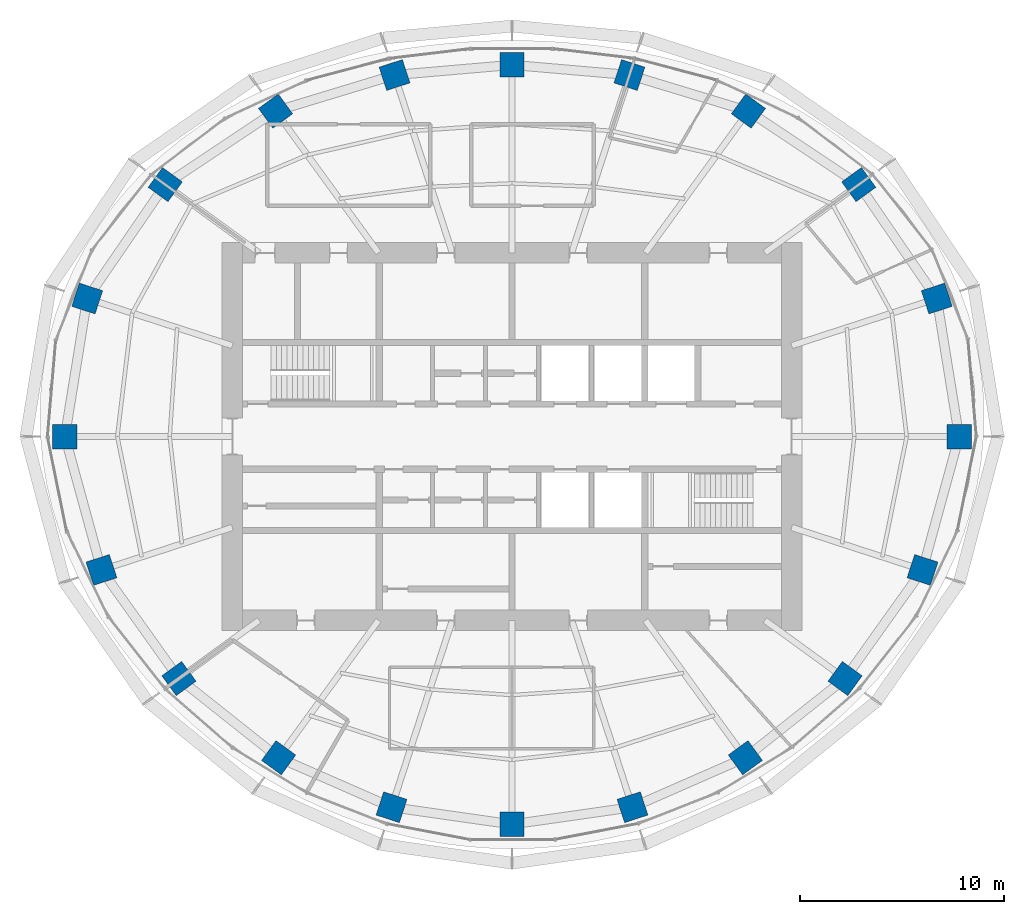
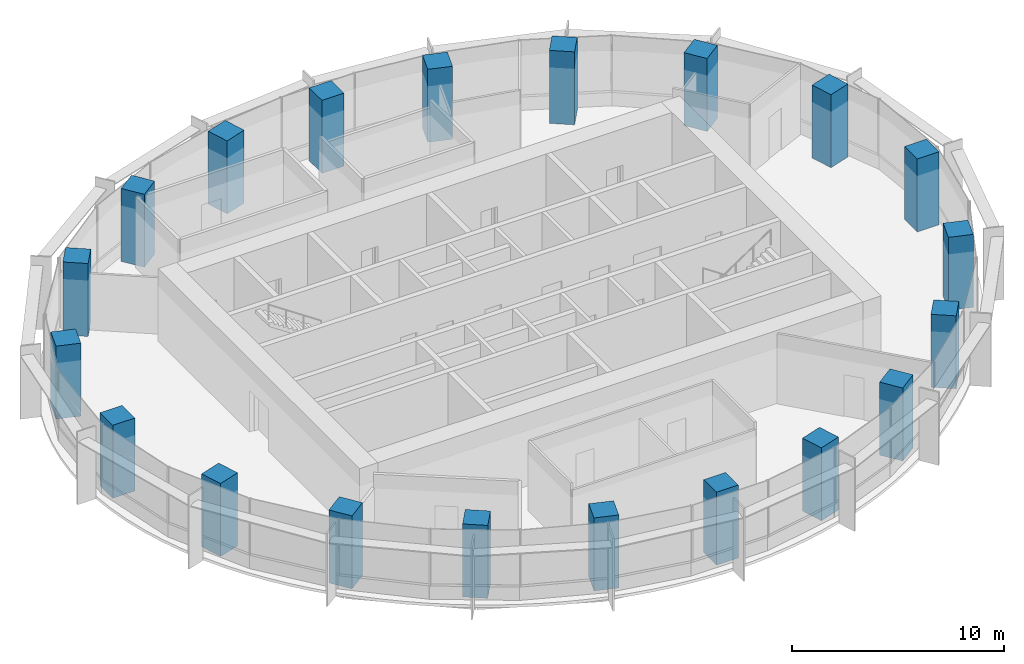
# One storey, part 1 of 13: 20 columns.
"""IFC4 building model written with IfcOpenShell, lengths in metres."""

import ifcopenshell
import ifcopenshell.guid

model = None  # the IFC model being written
_history = None  # IfcOwnerHistory: only IFC2X3 demands one
_inside = {}  # id of a spatial element -> (the spatial element, [elements in it])
_under = {}  # id of a project, library or spatial element -> (it, [spatial elements below it])
_declared = {}  # id of a project -> (the project, [libraries it declares])
_typed = {}  # id of a type object -> (the type object, [elements of that type])
_made_of = {}  # id of a material, layer set ... -> (it, [elements and type objects made of it])


def new_model(schema):
    """Start an empty IFC model of exactly this schema.

    Asked for "IFC4X3", IfcOpenShell would pick the latest addendum, in which some entities
    have other attributes; the version numbers below select the first issue.
    IFC2X3 requires an IfcOwnerHistory on every rooted entity: one is made here for all.
    """
    global model, _history
    if schema == "IFC4X3":
        model = ifcopenshell.file(schema_version=(4, 3, 0, 0))
    else:
        model = ifcopenshell.file(schema=schema)
    _inside.clear()
    _under.clear()
    _declared.clear()
    _typed.clear()
    _made_of.clear()
    _history = None
    if model.schema == "IFC2X3":
        org = make("IfcOrganization", Name="unknown")
        user = make(
            "IfcPersonAndOrganization",
            ThePerson=make("IfcPerson", FamilyName="unknown"),
            TheOrganization=org,
        )
        app = make(
            "IfcApplication",
            ApplicationDeveloper=org,
            Version="unknown",
            ApplicationFullName="unknown",
            ApplicationIdentifier="unknown",
        )
        _history = make(
            "IfcOwnerHistory",
            OwningUser=user,
            OwningApplication=app,
            ChangeAction="ADDED",
            CreationDate=0,
        )
    return model


def make(cls, **values):
    """One entity of the class cls with the attributes given. An attribute that is None is left unset."""
    return model.create_entity(
        cls, **{name: value for name, value in values.items() if value is not None}
    )


def rooted(cls, **values):
    """An entity with a GlobalId (a new one), such as an element, a storey or a relation."""
    return make(cls, GlobalId=ifcopenshell.guid.new(), OwnerHistory=_history, **values)


def si_unit(unit_type, name, prefix=None):
    """IfcSIUnit, for example si_unit("LENGTHUNIT", "METRE", prefix="MILLI")."""
    return make("IfcSIUnit", UnitType=unit_type, Prefix=prefix, Name=name)


def assignment(units):
    """IfcUnitAssignment: the units of a project."""
    return None if units is None else make("IfcUnitAssignment", Units=units)


def point(xyz):
    """IfcCartesianPoint."""
    return None if xyz is None else make("IfcCartesianPoint", Coordinates=xyz)


def direction(xyz):
    """IfcDirection."""
    return None if xyz is None else make("IfcDirection", DirectionRatios=xyz)


def frame(location, z_axis=None, x_axis=None):
    """IfcAxis2Placement3D, a coordinate frame: its origin and axes. An axis left out is left unset."""
    return make(
        "IfcAxis2Placement3D",
        Location=point(location),
        Axis=direction(z_axis),
        RefDirection=direction(x_axis),
    )


def frame_2d(location, x_axis=None):
    """IfcAxis2Placement2D, a coordinate frame in the plane: its origin and x axis."""
    return make(
        "IfcAxis2Placement2D", Location=point(location), RefDirection=direction(x_axis)
    )


def origin():
    """The frame at (0, 0, 0) with its axes left unset."""
    return frame((0.0, 0.0, 0.0))


def origin_2d():
    """The frame at (0, 0) in the plane with its x axis left unset."""
    return frame_2d((0.0, 0.0))


def place(relative_to, where):
    """IfcLocalPlacement: puts the frame where relative to a parent placement (None: the world)."""
    return make(
        "IfcLocalPlacement", PlacementRelTo=relative_to, RelativePlacement=where
    )


def context(
    kind, dimensions, precision=None, world=None, true_north=None, identifier=None
):
    """IfcGeometricRepresentationContext, for example the 3D "Model" context."""
    return make(
        "IfcGeometricRepresentationContext",
        ContextIdentifier=identifier,
        ContextType=kind,
        CoordinateSpaceDimension=dimensions,
        Precision=precision,
        WorldCoordinateSystem=world,
        TrueNorth=true_north,
    )


def subcontext(parent, identifier, kind, view, scale=None):
    """IfcGeometricRepresentationSubContext, for example "Body" below "Model"."""
    return make(
        "IfcGeometricRepresentationSubContext",
        ContextIdentifier=identifier,
        ContextType=kind,
        ParentContext=parent,
        TargetScale=scale,
        TargetView=view,
    )


def project(units=None, contexts=None):
    """IfcProject with its units and contexts."""
    return rooted(
        "IfcProject",
        Name="project",
        RepresentationContexts=contexts,
        UnitsInContext=assignment(units),
    )


def spatial(cls, under=None, at=None, **own):
    """A site, building, storey or space (cls), placed at a placement, below another one or the project."""
    s = rooted(cls, ObjectPlacement=at, **own)
    if under is not None:
        _under.setdefault(under.id(), (under, []))[1].append(s)
    return s


def profile(cls, at=None, kind="AREA", **sizes):
    """A parametric profile (cls). Its sizes go by their IFC names, for example OverallWidth=200.0."""
    return make(cls, ProfileType=kind, Position=at, **sizes)


def rectangle(**sizes):
    """IfcRectangleProfileDef."""
    return profile("IfcRectangleProfileDef", **sizes)


def extrude(swept, where, along, depth):
    """IfcExtrudedAreaSolid: the profile swept, set in the frame where, extruded along a direction by depth."""
    return make(
        "IfcExtrudedAreaSolid",
        SweptArea=swept,
        Position=where,
        ExtrudedDirection=direction(along),
        Depth=depth,
    )


def shape(context_of_items, identifier, shape_type, items):
    """IfcShapeRepresentation: the items that make up one representation, for example the "Body"."""
    return make(
        "IfcShapeRepresentation",
        ContextOfItems=context_of_items,
        RepresentationIdentifier=identifier,
        RepresentationType=shape_type,
        Items=items,
    )


def material(Name=None, Category=None):
    """IfcMaterial."""
    return make("IfcMaterial", Name=Name, Category=Category)


def material_profile(
    of_material, cross_section, Name=None, Category=None, Priority=None
):
    """IfcMaterialProfile: a cross section and its material."""
    return make(
        "IfcMaterialProfile",
        Name=Name,
        Material=of_material,
        Profile=cross_section,
        Priority=Priority,
        Category=Category,
    )


def profile_set(profiles, Name=None, composite=None):
    """IfcMaterialProfileSet."""
    return make(
        "IfcMaterialProfileSet",
        Name=Name,
        MaterialProfiles=profiles,
        CompositeProfile=composite,
    )


def made_of(thing, what):
    """Note that an element or type object is made of a material, layer set ...; save() writes the relation."""
    if what is not None:
        _made_of.setdefault(what.id(), (what, []))[1].append(thing)
    return thing


def type_object(cls, material=None, **own):
    """A type object (cls), such as IfcWallType, which elements share."""
    return made_of(rooted(cls, **own), material)


def element(
    cls,
    number,
    at=None,
    inside=None,
    cuts=None,
    type_object=None,
    material=None,
    context=None,
    identifier="Body",
    shape_type=None,
    held_by="IfcProductDefinitionShape",
    body=None,
    shapes=None,
    **own,
):
    """One element of the class cls, such as IfcWall. Its Tag is "e" and its number.

    at: its placement. inside: the storey or other place that contains it. cuts: it is an
    opening in that element (IfcRelVoidsElement). A single representation is given by context,
    identifier, shape_type and body (its items); several are given by shapes. held_by: the class
    of the entity that holds the representations. save() writes the other relations.
    """
    e = rooted(cls, Tag="e%d" % number, ObjectPlacement=at, **own)
    if body is not None:
        shapes = [shape(context, identifier, shape_type, body)]
    if shapes is not None:
        e.Representation = make(held_by, Representations=shapes)
    if inside is not None:
        _inside.setdefault(inside.id(), (inside, []))[1].append(e)
    if cuts is not None:
        rooted(
            "IfcRelVoidsElement", RelatingBuildingElement=cuts, RelatedOpeningElement=e
        )
    if type_object is not None:
        _typed.setdefault(type_object.id(), (type_object, []))[1].append(e)
    return made_of(e, material)


def aggregate(whole, parts):
    """IfcRelAggregates: a whole, such as a stair, and the parts it consists of."""
    return rooted("IfcRelAggregates", RelatingObject=whole, RelatedObjects=parts)


def save(model, path):
    """Write the relations noted so far, then the file.

    IfcRelAggregates (storeys below a building ...), IfcRelContainedInSpatialStructure (elements
    in a storey), IfcRelDefinesByType, IfcRelAssociatesMaterial and IfcRelDeclares: one each for
    every whole, place, type object, material and project.
    """
    for whole, parts in _under.values():
        aggregate(whole, parts)
    for where, things in _inside.values():
        rooted(
            "IfcRelContainedInSpatialStructure",
            RelatedElements=things,
            RelatingStructure=where,
        )
    for kind, things in _typed.values():
        rooted("IfcRelDefinesByType", RelatedObjects=things, RelatingType=kind)
    for what, things in _made_of.values():
        rooted("IfcRelAssociatesMaterial", RelatedObjects=things, RelatingMaterial=what)
    for by, libraries in _declared.values():
        rooted("IfcRelDeclares", RelatingContext=by, RelatedDefinitions=libraries)
    model.write(path)


model = new_model("IFC4")

# Units and contexts
model_context = context("Model", 3, precision=1e-05, world=origin(), true_north=direction((0.0, 1.0)))
body_context = subcontext(model_context, "Body", "Model", "MODEL_VIEW")
ifc_project = project(units=[si_unit("LENGTHUNIT", "METRE"), si_unit("AREAUNIT", "SQUARE_METRE"), si_unit("VOLUMEUNIT", "CUBIC_METRE"), si_unit("PLANEANGLEUNIT", "RADIAN"), si_unit("MASSUNIT", "GRAM", prefix="KILO")], contexts=[model_context])

# Site, building, storey
site_placement = place(None, origin())
site = spatial("IfcSite", under=ifc_project, at=site_placement, CompositionType="ELEMENT")
building_placement = place(site_placement, origin())
building = spatial("IfcBuilding", under=site, at=building_placement, Name="Marramba Exchange Tower", CompositionType="ELEMENT")
storey_placement = place(building_placement, frame((0.0, 0.0, 264.39990234375)))
storey = spatial("IfcBuildingStorey", under=building, at=storey_placement, Name="L64", CompositionType="ELEMENT", Elevation=264.39990234375)

# Columns
ifc_material = material(Name="Concrete N50", Category="concrete")
ifc_material_profile = material_profile(ifc_material, rectangle(XDim=1.199951171875, YDim=1.199951171875, at=origin_2d()), Name="RC 1200x1200")
ifc_profile_set = profile_set([ifc_material_profile], Name="Concrete N50")
column_type = type_object("IfcColumnType", Name="Perimeter column RC 1200x1200 N50", PredefinedType="COLUMN", material=ifc_profile_set)
for number, where, z_axis, x_axis, name in (
    (1, (21.89990234375, 0.0, 0.0), (0.0, 0.0, 1.0), (1.0, 0.0, 0.0), "Column TC01 L64"),
    (2, (20.808349609375, 6.760986328125, 0.0), (0.0, 0.0, 1.0), (0.951056516295, 0.309016994375, 0.0), "Column TC02 L64"),
    (3, (16.98583984375, 12.3408203125, 0.0), (0.0, 0.0, 1.0), (0.809016994375, 0.587785252292, 0.0), "Column TC03 L64"),
    (4, (11.581298828125, 15.9404296875, 0.0), (0.0, 0.0, 1.0), (0.587785252292, 0.809016994375, 0.0), "Column TC04 L64"),
    (5, (5.75390625, 17.70849609375, 0.0), (0.0, 0.0, 1.0), (0.309016994375, 0.951056516295, 0.0), "Column TC05 L64"),
    (6, (0.0, 18.2041015625, 0.0), (0.0, 0.0, 1.0), (0.0, 1.0, 0.0), "Column TC06 L64"),
    (7, (-5.75390625, 17.70849609375, 0.0), (0.0, 0.0, 1.0), (-0.309016994375, 0.951056516295, 0.0), "Column TC07 L64"),
    (8, (-11.581298828125, 15.9404296875, 0.0), (0.0, 0.0, 1.0), (-0.587785252292, 0.809016994375, 0.0), "Column TC08 L64"),
    (9, (-16.98583984375, 12.3408203125, 0.0), (0.0, 0.0, 1.0), (-0.809016994375, 0.587785252292, 0.0), "Column TC09 L64"),
    (10, (-20.808349609375, 6.760986328125, 0.0), (0.0, 0.0, 1.0), (-0.951056516295, 0.309016994375, 0.0), "Column TC10 L64"),
    (11, (-21.89990234375, 0.0, 0.0), (0.0, 0.0, 1.0), (-1.0, 0.0, 0.0), "Column TC11 L64"),
    (12, (-20.109375, -6.533935546875, 0.0), (0.0, 0.0, 1.0), (-0.951056516295, -0.309016994375, 0.0), "Column TC12 L64"),
    (13, (-16.3154296875, -11.853759765625, 0.0), (0.0, 0.0, 1.0), (-0.809016994375, -0.587785252292, 0.0), "Column TC13 L64"),
    (14, (-11.430419921875, -15.732666015625, 0.0), (0.0, 0.0, 1.0), (-0.587785252292, -0.809016994375, 0.0), "Column TC14 L64"),
    (15, (-5.899658203125, -18.156982421875, 0.0), (0.0, 0.0, 1.0), (-0.309016994375, -0.951056516295, 0.0), "Column TC15 L64"),
    (16, (0.0, -18.99609375, 0.0), (0.0, 0.0, 1.0), (0.0, -1.0, 0.0), "Column TC16 L64"),
    (17, (5.899658203125, -18.156982421875, 0.0), (0.0, 0.0, 1.0), (0.309016994375, -0.951056516295, 0.0), "Column TC17 L64"),
    (18, (11.430419921875, -15.732666015625, 0.0), (0.0, 0.0, 1.0), (0.587785252292, -0.809016994375, 0.0), "Column TC18 L64"),
    (19, (16.3154296875, -11.853759765625, 0.0), (0.0, 0.0, 1.0), (0.809016994375, -0.587785252292, 0.0), "Column TC19 L64"),
    (20, (20.109375, -6.533935546875, 0.0), (0.0, 0.0, 1.0), (0.951056516295, -0.309016994375, 0.0), "Column TC20 L64"),
):
    element("IfcColumn", number, at=place(storey_placement, frame(where, z_axis=z_axis, x_axis=x_axis)), inside=storey, type_object=column_type, Name=name, PredefinedType="COLUMN", context=body_context, shape_type="SweptSolid", body=[
        extrude(rectangle(XDim=1.199951171875, YDim=1.199951171875, at=origin_2d()), origin(), (0.0, 0.0, 1.0), 4.2001953125),
    ])

save(model, "model.ifc")
